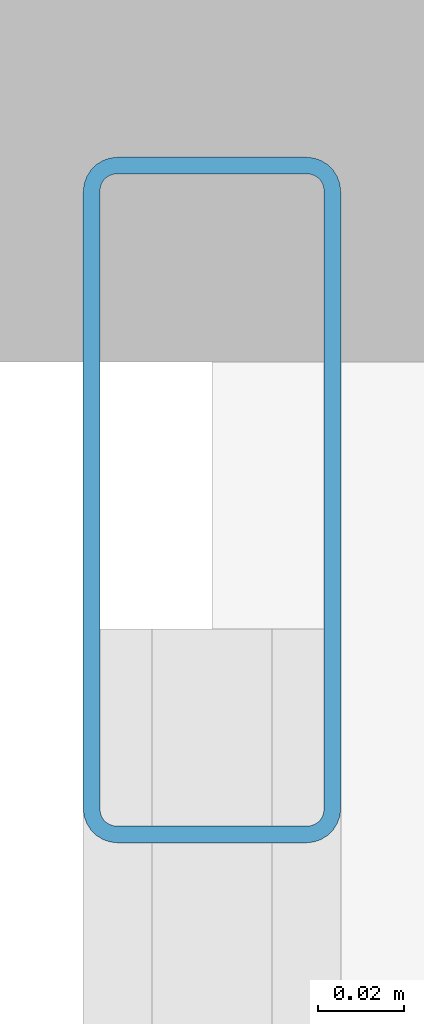
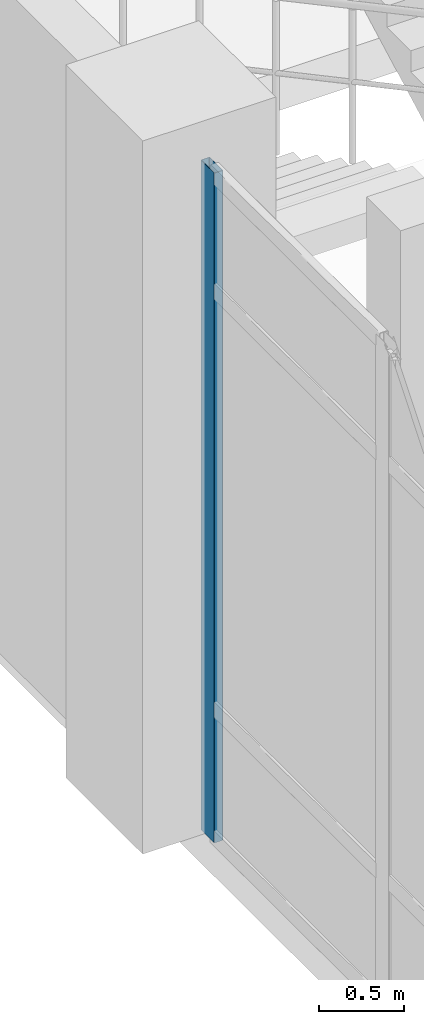
# One storey, part 17 of 120: 1 member, 1 element without a shape of its own.
"""IFC4 building model written with IfcOpenShell, lengths in metres."""

import ifcopenshell
import ifcopenshell.guid

model = None  # the IFC model being written
_history = None  # IfcOwnerHistory: only IFC2X3 demands one
_inside = {}  # id of a spatial element -> (the spatial element, [elements in it])
_under = {}  # id of a project, library or spatial element -> (it, [spatial elements below it])
_declared = {}  # id of a project -> (the project, [libraries it declares])
_typed = {}  # id of a type object -> (the type object, [elements of that type])
_made_of = {}  # id of a material, layer set ... -> (it, [elements and type objects made of it])


def new_model(schema):
    """Start an empty IFC model of exactly this schema.

    Asked for "IFC4X3", IfcOpenShell would pick the latest addendum, in which some entities
    have other attributes; the version numbers below select the first issue.
    IFC2X3 requires an IfcOwnerHistory on every rooted entity: one is made here for all.
    """
    global model, _history
    if schema == "IFC4X3":
        model = ifcopenshell.file(schema_version=(4, 3, 0, 0))
    else:
        model = ifcopenshell.file(schema=schema)
    _inside.clear()
    _under.clear()
    _declared.clear()
    _typed.clear()
    _made_of.clear()
    _history = None
    if model.schema == "IFC2X3":
        org = make("IfcOrganization", Name="unknown")
        user = make(
            "IfcPersonAndOrganization",
            ThePerson=make("IfcPerson", FamilyName="unknown"),
            TheOrganization=org,
        )
        app = make(
            "IfcApplication",
            ApplicationDeveloper=org,
            Version="unknown",
            ApplicationFullName="unknown",
            ApplicationIdentifier="unknown",
        )
        _history = make(
            "IfcOwnerHistory",
            OwningUser=user,
            OwningApplication=app,
            ChangeAction="ADDED",
            CreationDate=0,
        )
    return model


def make(cls, **values):
    """One entity of the class cls with the attributes given. An attribute that is None is left unset."""
    return model.create_entity(
        cls, **{name: value for name, value in values.items() if value is not None}
    )


def rooted(cls, **values):
    """An entity with a GlobalId (a new one), such as an element, a storey or a relation."""
    return make(cls, GlobalId=ifcopenshell.guid.new(), OwnerHistory=_history, **values)


def si_unit(unit_type, name, prefix=None):
    """IfcSIUnit, for example si_unit("LENGTHUNIT", "METRE", prefix="MILLI")."""
    return make("IfcSIUnit", UnitType=unit_type, Prefix=prefix, Name=name)


def derived_unit(unit_type, elements):
    """IfcDerivedUnit: a product of units, each with its exponent."""
    return make(
        "IfcDerivedUnit",
        Elements=[
            make("IfcDerivedUnitElement", Unit=unit, Exponent=power)
            for unit, power in elements
        ],
        UnitType=unit_type,
    )


def assignment(units):
    """IfcUnitAssignment: the units of a project."""
    return None if units is None else make("IfcUnitAssignment", Units=units)


def point(xyz):
    """IfcCartesianPoint."""
    return None if xyz is None else make("IfcCartesianPoint", Coordinates=xyz)


def direction(xyz):
    """IfcDirection."""
    return None if xyz is None else make("IfcDirection", DirectionRatios=xyz)


def frame(location, z_axis=None, x_axis=None):
    """IfcAxis2Placement3D, a coordinate frame: its origin and axes. An axis left out is left unset."""
    return make(
        "IfcAxis2Placement3D",
        Location=point(location),
        Axis=direction(z_axis),
        RefDirection=direction(x_axis),
    )


def frame_2d(location, x_axis=None):
    """IfcAxis2Placement2D, a coordinate frame in the plane: its origin and x axis."""
    return make(
        "IfcAxis2Placement2D", Location=point(location), RefDirection=direction(x_axis)
    )


def origin():
    """The frame at (0, 0, 0) with its axes left unset."""
    return frame((0.0, 0.0, 0.0))


def origin_2d():
    """The frame at (0, 0) in the plane with its x axis left unset."""
    return frame_2d((0.0, 0.0))


def place(relative_to, where):
    """IfcLocalPlacement: puts the frame where relative to a parent placement (None: the world)."""
    return make(
        "IfcLocalPlacement", PlacementRelTo=relative_to, RelativePlacement=where
    )


def context(
    kind, dimensions, precision=None, world=None, true_north=None, identifier=None
):
    """IfcGeometricRepresentationContext, for example the 3D "Model" context."""
    return make(
        "IfcGeometricRepresentationContext",
        ContextIdentifier=identifier,
        ContextType=kind,
        CoordinateSpaceDimension=dimensions,
        Precision=precision,
        WorldCoordinateSystem=world,
        TrueNorth=true_north,
    )


def subcontext(parent, identifier, kind, view, scale=None):
    """IfcGeometricRepresentationSubContext, for example "Body" below "Model"."""
    return make(
        "IfcGeometricRepresentationSubContext",
        ContextIdentifier=identifier,
        ContextType=kind,
        ParentContext=parent,
        TargetScale=scale,
        TargetView=view,
    )


def project(units=None, contexts=None):
    """IfcProject with its units and contexts."""
    return rooted(
        "IfcProject",
        Name="project",
        RepresentationContexts=contexts,
        UnitsInContext=assignment(units),
    )


def spatial(cls, under=None, at=None, **own):
    """A site, building, storey or space (cls), placed at a placement, below another one or the project."""
    s = rooted(cls, ObjectPlacement=at, **own)
    if under is not None:
        _under.setdefault(under.id(), (under, []))[1].append(s)
    return s


def profile(cls, at=None, kind="AREA", **sizes):
    """A parametric profile (cls). Its sizes go by their IFC names, for example OverallWidth=200.0."""
    return make(cls, ProfileType=kind, Position=at, **sizes)


def hollow_rectangle(**sizes):
    """IfcRectangleHollowProfileDef."""
    return profile("IfcRectangleHollowProfileDef", **sizes)


def extrude(swept, where, along, depth):
    """IfcExtrudedAreaSolid: the profile swept, set in the frame where, extruded along a direction by depth."""
    return make(
        "IfcExtrudedAreaSolid",
        SweptArea=swept,
        Position=where,
        ExtrudedDirection=direction(along),
        Depth=depth,
    )


def shape(context_of_items, identifier, shape_type, items):
    """IfcShapeRepresentation: the items that make up one representation, for example the "Body"."""
    return make(
        "IfcShapeRepresentation",
        ContextOfItems=context_of_items,
        RepresentationIdentifier=identifier,
        RepresentationType=shape_type,
        Items=items,
    )


def material(Name=None, Category=None):
    """IfcMaterial."""
    return make("IfcMaterial", Name=Name, Category=Category)


def layer(
    of_material, thickness, ventilated=None, Name=None, Category=None, Priority=None
):
    """IfcMaterialLayer: one layer of a wall or slab, of a material (None: an air gap)."""
    return make(
        "IfcMaterialLayer",
        Material=of_material,
        LayerThickness=thickness,
        IsVentilated=ventilated,
        Name=Name,
        Category=Category,
        Priority=Priority,
    )


def layer_set(layers, Name=None):
    """IfcMaterialLayerSet."""
    return make("IfcMaterialLayerSet", MaterialLayers=layers, LayerSetName=Name)


def material_profile(
    of_material, cross_section, Name=None, Category=None, Priority=None
):
    """IfcMaterialProfile: a cross section and its material."""
    return make(
        "IfcMaterialProfile",
        Name=Name,
        Material=of_material,
        Profile=cross_section,
        Priority=Priority,
        Category=Category,
    )


def profile_set(profiles, Name=None, composite=None):
    """IfcMaterialProfileSet."""
    return make(
        "IfcMaterialProfileSet",
        Name=Name,
        MaterialProfiles=profiles,
        CompositeProfile=composite,
    )


def made_of(thing, what):
    """Note that an element or type object is made of a material, layer set ...; save() writes the relation."""
    if what is not None:
        _made_of.setdefault(what.id(), (what, []))[1].append(thing)
    return thing


def type_object(cls, material=None, **own):
    """A type object (cls), such as IfcWallType, which elements share."""
    return made_of(rooted(cls, **own), material)


def element(
    cls,
    number,
    at=None,
    inside=None,
    cuts=None,
    type_object=None,
    material=None,
    context=None,
    identifier="Body",
    shape_type=None,
    held_by="IfcProductDefinitionShape",
    body=None,
    shapes=None,
    **own,
):
    """One element of the class cls, such as IfcWall. Its Tag is "e" and its number.

    at: its placement. inside: the storey or other place that contains it. cuts: it is an
    opening in that element (IfcRelVoidsElement). A single representation is given by context,
    identifier, shape_type and body (its items); several are given by shapes. held_by: the class
    of the entity that holds the representations. save() writes the other relations.
    """
    e = rooted(cls, Tag="e%d" % number, ObjectPlacement=at, **own)
    if body is not None:
        shapes = [shape(context, identifier, shape_type, body)]
    if shapes is not None:
        e.Representation = make(held_by, Representations=shapes)
    if inside is not None:
        _inside.setdefault(inside.id(), (inside, []))[1].append(e)
    if cuts is not None:
        rooted(
            "IfcRelVoidsElement", RelatingBuildingElement=cuts, RelatedOpeningElement=e
        )
    if type_object is not None:
        _typed.setdefault(type_object.id(), (type_object, []))[1].append(e)
    return made_of(e, material)


def aggregate(whole, parts):
    """IfcRelAggregates: a whole, such as a stair, and the parts it consists of."""
    return rooted("IfcRelAggregates", RelatingObject=whole, RelatedObjects=parts)


def save(model, path):
    """Write the relations noted so far, then the file.

    IfcRelAggregates (storeys below a building ...), IfcRelContainedInSpatialStructure (elements
    in a storey), IfcRelDefinesByType, IfcRelAssociatesMaterial and IfcRelDeclares: one each for
    every whole, place, type object, material and project.
    """
    for whole, parts in _under.values():
        aggregate(whole, parts)
    for where, things in _inside.values():
        rooted(
            "IfcRelContainedInSpatialStructure",
            RelatedElements=things,
            RelatingStructure=where,
        )
    for kind, things in _typed.values():
        rooted("IfcRelDefinesByType", RelatedObjects=things, RelatingType=kind)
    for what, things in _made_of.values():
        rooted("IfcRelAssociatesMaterial", RelatedObjects=things, RelatingMaterial=what)
    for by, libraries in _declared.values():
        rooted("IfcRelDeclares", RelatingContext=by, RelatedDefinitions=libraries)
    model.write(path)


model = new_model("IFC4")

# Units and contexts
model_context = context("Model", 3, precision=1e-05, world=origin(), true_north=direction((0.0, 1.0)))
body_context = subcontext(model_context, "Body", "Model", "MODEL_VIEW")
ifc_project = project(units=[si_unit("LENGTHUNIT", "METRE"), si_unit("AREAUNIT", "SQUARE_METRE"), si_unit("VOLUMEUNIT", "CUBIC_METRE"), si_unit("PLANEANGLEUNIT", "RADIAN"), si_unit("MASSUNIT", "GRAM", prefix="KILO"), derived_unit("THERMALTRANSMITTANCEUNIT", [(si_unit("MASSUNIT", "GRAM", prefix="KILO"), 1), (si_unit("TIMEUNIT", "SECOND"), -3), (si_unit("THERMODYNAMICTEMPERATUREUNIT", "KELVIN"), -1)])], contexts=[model_context])

# Site, building, storey
site_placement = place(None, origin())
site = spatial("IfcSite", under=ifc_project, at=site_placement, CompositionType="ELEMENT")
building_placement = place(site_placement, origin())
building = spatial("IfcBuilding", under=site, at=building_placement, Name="Qinzheling Arcade Emporium", CompositionType="ELEMENT")
storey_placement = place(building_placement, frame((0.0, 0.0, 11.39990234375)))
storey = spatial("IfcBuildingStorey", under=building, at=storey_placement, Name="L03", CompositionType="ELEMENT", Elevation=11.39990234375)

# Curtain wall, member
ifc_material_1 = material(Name="Anodised aluminium and solar-control double glazing", Category="aluminium")
ifc_layer = layer(ifc_material_1, 0.159912109375, Name="Anodised aluminium and solar-control double glazing", Category="aluminium")
ifc_layer_set = layer_set([ifc_layer], Name="Anodised aluminium and solar-control double glazing")
curtain_wall_type = type_object("IfcCurtainWallType", Name="Arcade Portal Glazed Curtain Wall", PredefinedType="NOTDEFINED", material=ifc_layer_set)
curtain_wall_placement = place(storey_placement, origin())
curtain_wall = element("IfcCurtainWall", 1, at=curtain_wall_placement, inside=storey, type_object=curtain_wall_type, Name="Curtain Wall CW-L03-164", PredefinedType="NOTDEFINED")
ifc_material_2 = material(Name="Anodised aluminium 6063-T6", Category="aluminium")
ifc_material_profile = material_profile(ifc_material_2, hollow_rectangle(XDim=0.06005859375, YDim=0.159912109375, WallThickness=0.00390625, InnerFilletRadius=0.00390625, OuterFilletRadius=0.008056640625, at=origin_2d()), Name="RHS 160x60x4", Category="aluminium")
ifc_profile_set = profile_set([ifc_material_profile], Name="Anodised aluminium 6063-T6")
member_type = type_object("IfcMemberType", Name="Curtain Wall Mullion RHS160x60", PredefinedType="MULLION", material=ifc_profile_set)
member_placement = place(storey_placement, frame((0.0, 33.117919921875, 0.0), z_axis=(0.0, 0.0, 1.0), x_axis=(-1.0, 0.0, 0.0)))
member = element("IfcMember", 2, at=member_placement, type_object=member_type, Name="CW05 mullion 3", PredefinedType="MULLION", context=body_context, shape_type="SweptSolid", body=[
    extrude(hollow_rectangle(XDim=0.06005859375, YDim=0.159912109375, WallThickness=0.00390625, InnerFilletRadius=0.00390625, OuterFilletRadius=0.008056640625, at=origin_2d()), origin(), (0.0, 0.0, 1.0), 4.7900390625),
])
aggregate(curtain_wall, [member])

save(model, "model.ifc")
